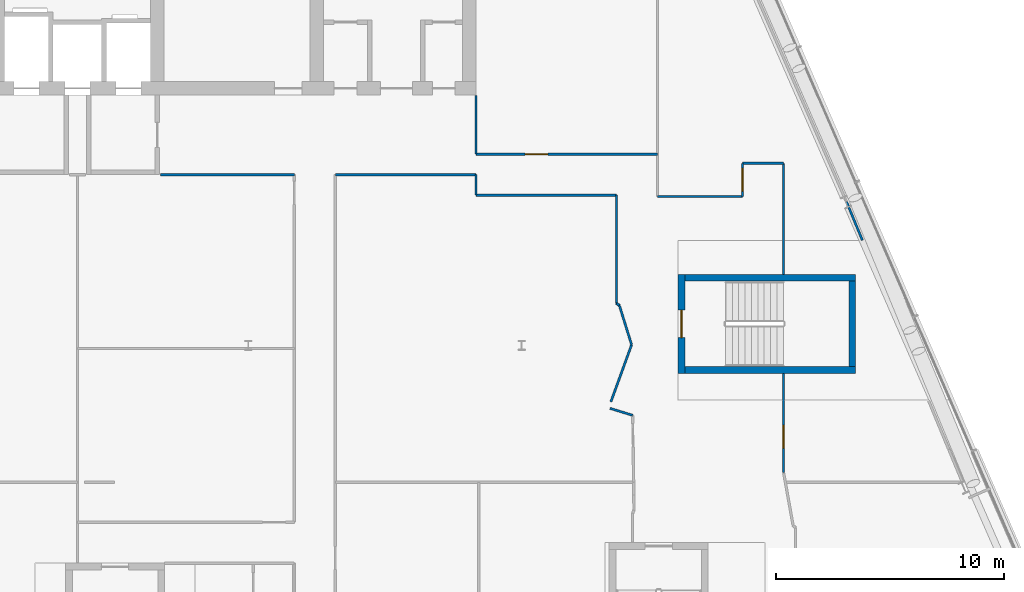
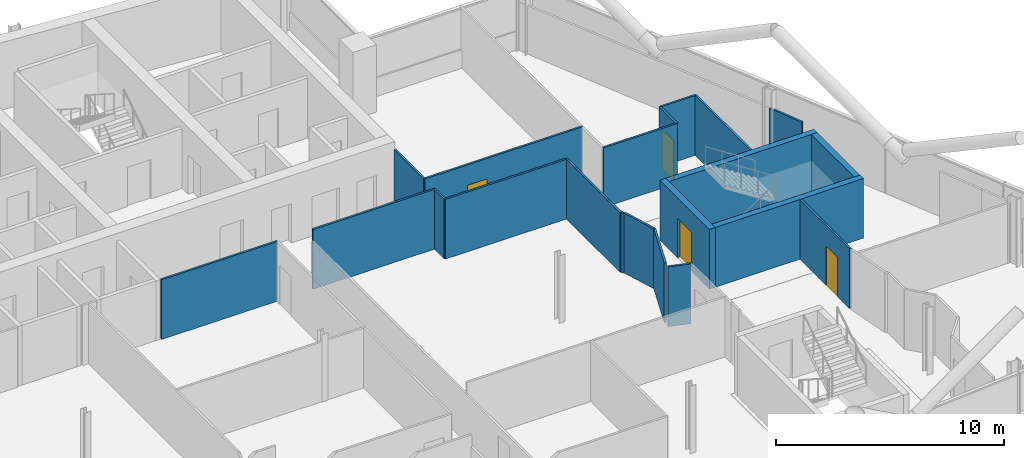
# One storey, part 18 of 28: 21 walls, 4 doors, 4 openings.
"""IFC4 building model written with IfcOpenShell, lengths in metres."""

import ifcopenshell
import ifcopenshell.guid

model = None  # the IFC model being written
_history = None  # IfcOwnerHistory: only IFC2X3 demands one
_inside = {}  # id of a spatial element -> (the spatial element, [elements in it])
_under = {}  # id of a project, library or spatial element -> (it, [spatial elements below it])
_declared = {}  # id of a project -> (the project, [libraries it declares])
_typed = {}  # id of a type object -> (the type object, [elements of that type])
_made_of = {}  # id of a material, layer set ... -> (it, [elements and type objects made of it])


def new_model(schema):
    """Start an empty IFC model of exactly this schema.

    Asked for "IFC4X3", IfcOpenShell would pick the latest addendum, in which some entities
    have other attributes; the version numbers below select the first issue.
    IFC2X3 requires an IfcOwnerHistory on every rooted entity: one is made here for all.
    """
    global model, _history
    if schema == "IFC4X3":
        model = ifcopenshell.file(schema_version=(4, 3, 0, 0))
    else:
        model = ifcopenshell.file(schema=schema)
    _inside.clear()
    _under.clear()
    _declared.clear()
    _typed.clear()
    _made_of.clear()
    _history = None
    if model.schema == "IFC2X3":
        org = make("IfcOrganization", Name="unknown")
        user = make(
            "IfcPersonAndOrganization",
            ThePerson=make("IfcPerson", FamilyName="unknown"),
            TheOrganization=org,
        )
        app = make(
            "IfcApplication",
            ApplicationDeveloper=org,
            Version="unknown",
            ApplicationFullName="unknown",
            ApplicationIdentifier="unknown",
        )
        _history = make(
            "IfcOwnerHistory",
            OwningUser=user,
            OwningApplication=app,
            ChangeAction="ADDED",
            CreationDate=0,
        )
    return model


def make(cls, **values):
    """One entity of the class cls with the attributes given. An attribute that is None is left unset."""
    return model.create_entity(
        cls, **{name: value for name, value in values.items() if value is not None}
    )


def rooted(cls, **values):
    """An entity with a GlobalId (a new one), such as an element, a storey or a relation."""
    return make(cls, GlobalId=ifcopenshell.guid.new(), OwnerHistory=_history, **values)


def si_unit(unit_type, name, prefix=None):
    """IfcSIUnit, for example si_unit("LENGTHUNIT", "METRE", prefix="MILLI")."""
    return make("IfcSIUnit", UnitType=unit_type, Prefix=prefix, Name=name)


def assignment(units):
    """IfcUnitAssignment: the units of a project."""
    return None if units is None else make("IfcUnitAssignment", Units=units)


def point(xyz):
    """IfcCartesianPoint."""
    return None if xyz is None else make("IfcCartesianPoint", Coordinates=xyz)


def direction(xyz):
    """IfcDirection."""
    return None if xyz is None else make("IfcDirection", DirectionRatios=xyz)


def frame(location, z_axis=None, x_axis=None):
    """IfcAxis2Placement3D, a coordinate frame: its origin and axes. An axis left out is left unset."""
    return make(
        "IfcAxis2Placement3D",
        Location=point(location),
        Axis=direction(z_axis),
        RefDirection=direction(x_axis),
    )


def frame_2d(location, x_axis=None):
    """IfcAxis2Placement2D, a coordinate frame in the plane: its origin and x axis."""
    return make(
        "IfcAxis2Placement2D", Location=point(location), RefDirection=direction(x_axis)
    )


def origin():
    """The frame at (0, 0, 0) with its axes left unset."""
    return frame((0.0, 0.0, 0.0))


def place(relative_to, where):
    """IfcLocalPlacement: puts the frame where relative to a parent placement (None: the world)."""
    return make(
        "IfcLocalPlacement", PlacementRelTo=relative_to, RelativePlacement=where
    )


def context(
    kind, dimensions, precision=None, world=None, true_north=None, identifier=None
):
    """IfcGeometricRepresentationContext, for example the 3D "Model" context."""
    return make(
        "IfcGeometricRepresentationContext",
        ContextIdentifier=identifier,
        ContextType=kind,
        CoordinateSpaceDimension=dimensions,
        Precision=precision,
        WorldCoordinateSystem=world,
        TrueNorth=true_north,
    )


def subcontext(parent, identifier, kind, view, scale=None):
    """IfcGeometricRepresentationSubContext, for example "Body" below "Model"."""
    return make(
        "IfcGeometricRepresentationSubContext",
        ContextIdentifier=identifier,
        ContextType=kind,
        ParentContext=parent,
        TargetScale=scale,
        TargetView=view,
    )


def project(units=None, contexts=None):
    """IfcProject with its units and contexts."""
    return rooted(
        "IfcProject",
        Name="project",
        RepresentationContexts=contexts,
        UnitsInContext=assignment(units),
    )


def spatial(cls, under=None, at=None, **own):
    """A site, building, storey or space (cls), placed at a placement, below another one or the project."""
    s = rooted(cls, ObjectPlacement=at, **own)
    if under is not None:
        _under.setdefault(under.id(), (under, []))[1].append(s)
    return s


def profile(cls, at=None, kind="AREA", **sizes):
    """A parametric profile (cls). Its sizes go by their IFC names, for example OverallWidth=200.0."""
    return make(cls, ProfileType=kind, Position=at, **sizes)


def rectangle(**sizes):
    """IfcRectangleProfileDef."""
    return profile("IfcRectangleProfileDef", **sizes)


def extrude(swept, where, along, depth):
    """IfcExtrudedAreaSolid: the profile swept, set in the frame where, extruded along a direction by depth."""
    return make(
        "IfcExtrudedAreaSolid",
        SweptArea=swept,
        Position=where,
        ExtrudedDirection=direction(along),
        Depth=depth,
    )


def shape(context_of_items, identifier, shape_type, items):
    """IfcShapeRepresentation: the items that make up one representation, for example the "Body"."""
    return make(
        "IfcShapeRepresentation",
        ContextOfItems=context_of_items,
        RepresentationIdentifier=identifier,
        RepresentationType=shape_type,
        Items=items,
    )


def material(Name=None, Category=None):
    """IfcMaterial."""
    return make("IfcMaterial", Name=Name, Category=Category)


def layer(
    of_material, thickness, ventilated=None, Name=None, Category=None, Priority=None
):
    """IfcMaterialLayer: one layer of a wall or slab, of a material (None: an air gap)."""
    return make(
        "IfcMaterialLayer",
        Material=of_material,
        LayerThickness=thickness,
        IsVentilated=ventilated,
        Name=Name,
        Category=Category,
        Priority=Priority,
    )


def layer_set(layers, Name=None):
    """IfcMaterialLayerSet."""
    return make("IfcMaterialLayerSet", MaterialLayers=layers, LayerSetName=Name)


def made_of(thing, what):
    """Note that an element or type object is made of a material, layer set ...; save() writes the relation."""
    if what is not None:
        _made_of.setdefault(what.id(), (what, []))[1].append(thing)
    return thing


def type_object(cls, material=None, **own):
    """A type object (cls), such as IfcWallType, which elements share."""
    return made_of(rooted(cls, **own), material)


def element(
    cls,
    number,
    at=None,
    inside=None,
    cuts=None,
    type_object=None,
    material=None,
    context=None,
    identifier="Body",
    shape_type=None,
    held_by="IfcProductDefinitionShape",
    body=None,
    shapes=None,
    **own,
):
    """One element of the class cls, such as IfcWall. Its Tag is "e" and its number.

    at: its placement. inside: the storey or other place that contains it. cuts: it is an
    opening in that element (IfcRelVoidsElement). A single representation is given by context,
    identifier, shape_type and body (its items); several are given by shapes. held_by: the class
    of the entity that holds the representations. save() writes the other relations.
    """
    e = rooted(cls, Tag="e%d" % number, ObjectPlacement=at, **own)
    if body is not None:
        shapes = [shape(context, identifier, shape_type, body)]
    if shapes is not None:
        e.Representation = make(held_by, Representations=shapes)
    if inside is not None:
        _inside.setdefault(inside.id(), (inside, []))[1].append(e)
    if cuts is not None:
        rooted(
            "IfcRelVoidsElement", RelatingBuildingElement=cuts, RelatedOpeningElement=e
        )
    if type_object is not None:
        _typed.setdefault(type_object.id(), (type_object, []))[1].append(e)
    return made_of(e, material)


def fill(opening, filler):
    """IfcRelFillsElement: the door or window that sits in an opening."""
    return rooted(
        "IfcRelFillsElement",
        RelatingOpeningElement=opening,
        RelatedBuildingElement=filler,
    )


def aggregate(whole, parts):
    """IfcRelAggregates: a whole, such as a stair, and the parts it consists of."""
    return rooted("IfcRelAggregates", RelatingObject=whole, RelatedObjects=parts)


def save(model, path):
    """Write the relations noted so far, then the file.

    IfcRelAggregates (storeys below a building ...), IfcRelContainedInSpatialStructure (elements
    in a storey), IfcRelDefinesByType, IfcRelAssociatesMaterial and IfcRelDeclares: one each for
    every whole, place, type object, material and project.
    """
    for whole, parts in _under.values():
        aggregate(whole, parts)
    for where, things in _inside.values():
        rooted(
            "IfcRelContainedInSpatialStructure",
            RelatedElements=things,
            RelatingStructure=where,
        )
    for kind, things in _typed.values():
        rooted("IfcRelDefinesByType", RelatedObjects=things, RelatingType=kind)
    for what, things in _made_of.values():
        rooted("IfcRelAssociatesMaterial", RelatedObjects=things, RelatingMaterial=what)
    for by, libraries in _declared.values():
        rooted("IfcRelDeclares", RelatingContext=by, RelatedDefinitions=libraries)
    model.write(path)


model = new_model("IFC4")

# Units and contexts
model_context = context("Model", 3, precision=1e-05, world=origin(), true_north=direction((0.0, 1.0)))
body_context = subcontext(model_context, "Body", "Model", "MODEL_VIEW")
ifc_project = project(units=[si_unit("LENGTHUNIT", "METRE"), si_unit("AREAUNIT", "SQUARE_METRE"), si_unit("VOLUMEUNIT", "CUBIC_METRE"), si_unit("PLANEANGLEUNIT", "RADIAN"), si_unit("MASSUNIT", "GRAM", prefix="KILO")], contexts=[model_context])

# Site, building, storey
site_placement = place(None, origin())
site = spatial("IfcSite", under=ifc_project, at=site_placement, CompositionType="ELEMENT")
building_placement = place(site_placement, origin())
building = spatial("IfcBuilding", under=site, at=building_placement, Name="Wharfspan Tower", CompositionType="ELEMENT")
storey_placement = place(building_placement, frame((0.0, 0.0, 253.899902)))
storey = spatial("IfcBuildingStorey", under=building, at=storey_placement, Name="L64", CompositionType="ELEMENT", Elevation=253.899902)

# Walls
ifc_material_1 = material(Name="Gypsum board on steel studs", Category="steel")
ifc_layer_1 = layer(ifc_material_1, 0.100098)
ifc_layer_set_1 = layer_set([ifc_layer_1], Name="Gypsum board on steel studs")
wall_type_1 = type_object("IfcWallType", Name="Compartment wall 100 EI 60", PredefinedType="PARTITIONING", material=ifc_layer_set_1)
wall_1_placement = place(storey_placement, frame((51.820068, 30.5, 0.0), z_axis=(0.0, 0.0, 1.0), x_axis=(1.0, 0.0, 0.0)))
element("IfcWall", 1, at=wall_1_placement, inside=storey, type_object=wall_type_1, Name="Partition L64.w032", PredefinedType="PARTITIONING", context=body_context, shape_type="SweptSolid", body=[
    extrude(rectangle(XDim=6.179932, YDim=0.100098, at=frame_2d((3.089844, 0.0))), origin(), (0.0, 0.0, 1.0), 3.200195),
])
wall_2_placement = place(storey_placement, frame((58.0, 29.600098, 0.0), z_axis=(0.0, 0.0, 1.0), x_axis=(0.0, 1.0, 0.0)))
element("IfcWall", 2, at=wall_2_placement, inside=storey, type_object=wall_type_1, Name="Partition L64.w033", PredefinedType="PARTITIONING", context=body_context, shape_type="SweptSolid", body=[
    extrude(rectangle(XDim=0.899902, YDim=0.100098, at=frame_2d((0.449951, 0.0))), origin(), (0.0, 0.0, 1.0), 3.200195),
])
wall_3_placement = place(storey_placement, frame((58.0, 29.600098, 0.0), z_axis=(0.0, 0.0, 1.0), x_axis=(1.0, 0.0, 0.0)))
element("IfcWall", 3, at=wall_3_placement, inside=storey, type_object=wall_type_1, Name="Partition L64.w034", PredefinedType="PARTITIONING", context=body_context, shape_type="SweptSolid", body=[
    extrude(rectangle(XDim=6.169922, YDim=0.100098, at=frame_2d((3.084961, 0.0))), origin(), (0.0, 0.0, 1.0), 3.200195),
])
wall_4_placement = place(storey_placement, frame((58.0, 31.399902, 0.0), z_axis=(0.0, 0.0, 1.0), x_axis=(0.0, 1.0, 0.0)))
element("IfcWall", 4, at=wall_4_placement, inside=storey, type_object=wall_type_1, Name="Partition L64.w035", PredefinedType="PARTITIONING", context=body_context, shape_type="SweptSolid", body=[
    extrude(rectangle(XDim=2.580078, YDim=0.100098, at=frame_2d((1.290039, 0.0))), origin(), (0.0, 0.0, 1.0), 3.200195),
])

# Wall, opening, door
wall_5_placement = place(storey_placement, frame((58.0, 31.399902, 0.0), z_axis=(0.0, 0.0, 1.0), x_axis=(1.0, 0.0, 0.0)))
wall_5 = element("IfcWall", 5, at=wall_5_placement, inside=storey, type_object=wall_type_1, Name="Partition L64.w036", PredefinedType="PARTITIONING", context=body_context, shape_type="SweptSolid", body=[
    extrude(rectangle(XDim=7.969971, YDim=0.100098, at=frame_2d((3.984863, 0.0))), origin(), (0.0, 0.0, 1.0), 3.200195),
])
opening_1_placement = place(wall_5_placement, frame((2.149902, 0.0, 0.0)))
opening_1 = element("IfcOpeningElement", 6, at=opening_1_placement, cuts=wall_5, Name="Opening D6-18", PredefinedType="OPENING", context=body_context, shape_type="SweptSolid", body=[
    extrude(rectangle(XDim=1.0, YDim=2.100098, at=frame_2d((0.5, 1.050049))), frame((0.0, 0.060059, 0.0), z_axis=(0.0, -1.0, 0.0), x_axis=(1.0, 0.0, 0.0)), (0.0, 0.0, 1.0), 0.120117),
])
ifc_material_2 = material(Name="Fire-rated timber door leaf in steel frame", Category="steel")
door_type_1 = type_object("IfcDoorType", Name="Door 1000 FD30S Left", OperationType="SINGLE_SWING_LEFT", PredefinedType="DOOR", material=ifc_material_2)
door_1_placement = place(opening_1_placement, origin())
door_1 = element("IfcDoor", 7, at=door_1_placement, inside=storey, type_object=door_type_1, Name="Door D6-18", OperationType="SINGLE_SWING_LEFT", OverallHeight=2.100098, OverallWidth=1.0, PredefinedType="DOOR", context=body_context, shape_type="SweptSolid", body=[
    extrude(rectangle(XDim=1.0, YDim=2.100098, at=frame_2d((0.5, 1.050049))), frame((0.0, 0.024902, 0.0), z_axis=(0.0, -1.0, 0.0), x_axis=(1.0, 0.0, 0.0)), (0.0, 0.0, 1.0), 0.050049),
])
fill(opening_1, door_1)

# Walls
wall_6_placement = place(storey_placement, frame((63.919922, 20.524902, 0.0), z_axis=(0.0, 0.0, 1.0), x_axis=(0.341478, 0.939889, 0.0)))
element("IfcWall", 8, at=wall_6_placement, inside=storey, type_object=wall_type_1, Name="Partition L64.w040", PredefinedType="PARTITIONING", context=body_context, shape_type="SweptSolid", body=[
    extrude(rectangle(XDim=2.665283, YDim=0.100098, at=frame_2d((1.33252, 0.0))), origin(), (0.0, 0.0, 1.0), 3.200195),
])
wall_7_placement = place(storey_placement, frame((64.169922, 24.850098, 0.0), z_axis=(0.0, 0.0, 1.0), x_axis=(0.0, 1.0, 0.0)))
element("IfcWall", 9, at=wall_7_placement, inside=storey, type_object=wall_type_1, Name="Partition L64.w041", PredefinedType="PARTITIONING", context=body_context, shape_type="SweptSolid", body=[
    extrude(rectangle(XDim=4.75, YDim=0.100098, at=frame_2d((2.375, 0.0))), origin(), (0.0, 0.0, 1.0), 3.200195),
])
wall_8_placement = place(storey_placement, frame((64.294922, 24.754883, 0.0), z_axis=(0.0, 0.0, 1.0), x_axis=(-0.795501, 0.605948, 0.0)))
element("IfcWall", 10, at=wall_8_placement, inside=storey, type_object=wall_type_1, Name="Partition L64.w042", PredefinedType="PARTITIONING", context=body_context, shape_type="SweptSolid", body=[
    extrude(rectangle(XDim=0.157227, YDim=0.100098, at=frame_2d((0.078613, 0.0))), origin(), (0.0, 0.0, 1.0), 3.200195),
])
wall_9_placement = place(storey_placement, frame((64.830078, 23.030029, 0.0), z_axis=(0.0, 0.0, 1.0), x_axis=(-0.296328, 0.95509, 0.0)))
element("IfcWall", 11, at=wall_9_placement, inside=storey, type_object=wall_type_1, Name="Partition L64.w043", PredefinedType="PARTITIONING", context=body_context, shape_type="SweptSolid", body=[
    extrude(rectangle(XDim=1.805908, YDim=0.100098, at=frame_2d((0.902832, 0.0))), origin(), (0.0, 0.0, 1.0), 3.200195),
])
wall_10_placement = place(storey_placement, frame((64.875, 19.935059, 0.0), z_axis=(0.0, 0.0, 1.0), x_axis=(-0.956114, 0.29298, 0.0)))
element("IfcWall", 12, at=wall_10_placement, inside=storey, type_object=wall_type_1, Name="Partition L64.w046", PredefinedType="PARTITIONING", context=body_context, shape_type="SweptSolid", body=[
    extrude(rectangle(XDim=1.040771, YDim=0.100098, at=frame_2d((0.520508, 0.0))), origin(), (0.0, 0.0, 1.0), 3.200195),
])
wall_11_placement = place(storey_placement, frame((65.975098, 29.540039, 0.0), z_axis=(0.0, 0.0, 1.0), x_axis=(1.0, 0.0, 0.0)))
element("IfcWall", 13, at=wall_11_placement, inside=storey, type_object=wall_type_1, Name="Partition L64.w051", PredefinedType="PARTITIONING", context=body_context, shape_type="SweptSolid", body=[
    extrude(rectangle(XDim=3.724854, YDim=0.100098, at=frame_2d((1.862305, 0.0))), origin(), (0.0, 0.0, 1.0), 3.200195),
])

# Wall, opening, door
wall_12_placement = place(storey_placement, frame((69.699951, 29.540039, 0.0), z_axis=(0.0, 0.0, 1.0), x_axis=(0.0, 1.0, 0.0)))
wall_12 = element("IfcWall", 14, at=wall_12_placement, inside=storey, type_object=wall_type_1, Name="Partition L64.w052", PredefinedType="PARTITIONING", context=body_context, shape_type="SweptSolid", body=[
    extrude(rectangle(XDim=1.459961, YDim=0.100098, at=frame_2d((0.72998, 0.0))), origin(), (0.0, 0.0, 1.0), 3.200195),
])
opening_2_placement = place(wall_12_placement, frame((0.23999, 0.0, 0.0)))
opening_2 = element("IfcOpeningElement", 15, at=opening_2_placement, cuts=wall_12, Name="Opening D6-17", PredefinedType="OPENING", context=body_context, shape_type="SweptSolid", body=[
    extrude(rectangle(XDim=1.0, YDim=2.100098, at=frame_2d((0.5, 1.050049))), frame((0.0, 0.060059, 0.0), z_axis=(0.0, -1.0, 0.0), x_axis=(1.0, 0.0, 0.0)), (0.0, 0.0, 1.0), 0.120117),
])
door_type_2 = type_object("IfcDoorType", Name="Door 1000 FD30S Right", OperationType="SINGLE_SWING_RIGHT", PredefinedType="DOOR", material=ifc_material_2)
door_2_placement = place(opening_2_placement, origin())
door_2 = element("IfcDoor", 16, at=door_2_placement, inside=storey, type_object=door_type_2, Name="Door D6-17", OperationType="SINGLE_SWING_RIGHT", OverallHeight=2.100098, OverallWidth=1.0, PredefinedType="DOOR", context=body_context, shape_type="SweptSolid", body=[
    extrude(rectangle(XDim=1.0, YDim=2.100098, at=frame_2d((0.5, 1.050049))), frame((0.0, 0.024902, 0.0), z_axis=(0.0, -1.0, 0.0), x_axis=(1.0, 0.0, 0.0)), (0.0, 0.0, 1.0), 0.050049),
])
fill(opening_2, door_2)

# Wall
wall_13_placement = place(storey_placement, frame((69.699951, 31.0, 0.0), z_axis=(0.0, 0.0, 1.0), x_axis=(1.0, 0.0, 0.0)))
element("IfcWall", 17, at=wall_13_placement, inside=storey, type_object=wall_type_1, Name="Partition L64.w053", PredefinedType="PARTITIONING", context=body_context, shape_type="SweptSolid", body=[
    extrude(rectangle(XDim=1.800049, YDim=0.100098, at=frame_2d((0.899902, 0.0))), origin(), (0.0, 0.0, 1.0), 3.200195),
])

# Wall, opening, door
wall_14_placement = place(storey_placement, frame((71.5, 17.429932, 0.0), z_axis=(0.0, 0.0, 1.0), x_axis=(0.0, 1.0, 0.0)))
wall_14 = element("IfcWall", 18, at=wall_14_placement, inside=storey, type_object=wall_type_1, Name="Partition L64.w054", PredefinedType="PARTITIONING", context=body_context, shape_type="SweptSolid", body=[
    extrude(rectangle(XDim=4.344971, YDim=0.100098, at=frame_2d((2.172363, 0.0))), origin(), (0.0, 0.0, 1.0), 3.200195),
])
opening_3_placement = place(wall_14_placement, frame((1.058838, 0.0, 0.0)))
opening_3 = element("IfcOpeningElement", 19, at=opening_3_placement, cuts=wall_14, Name="Opening D6-11", PredefinedType="OPENING", context=body_context, shape_type="SweptSolid", body=[
    extrude(rectangle(XDim=1.0, YDim=2.100098, at=frame_2d((0.5, 1.050049))), frame((0.0, 0.060059, 0.0), z_axis=(0.0, -1.0, 0.0), x_axis=(1.0, 0.0, 0.0)), (0.0, 0.0, 1.0), 0.120117),
])
door_3_placement = place(opening_3_placement, origin())
door_3 = element("IfcDoor", 20, at=door_3_placement, inside=storey, type_object=door_type_1, Name="Door D6-11", OperationType="SINGLE_SWING_LEFT", OverallHeight=2.100098, OverallWidth=1.0, PredefinedType="DOOR", context=body_context, shape_type="SweptSolid", body=[
    extrude(rectangle(XDim=1.0, YDim=2.100098, at=frame_2d((0.5, 1.050049))), frame((0.0, 0.024902, 0.0), z_axis=(0.0, -1.0, 0.0), x_axis=(1.0, 0.0, 0.0)), (0.0, 0.0, 1.0), 0.050049),
])
fill(opening_3, door_3)

# Walls
wall_15_placement = place(storey_placement, frame((71.5, 26.125, 0.0), z_axis=(0.0, 0.0, 1.0), x_axis=(0.0, 1.0, 0.0)))
element("IfcWall", 21, at=wall_15_placement, inside=storey, type_object=wall_type_1, Name="Partition L64.w055", PredefinedType="PARTITIONING", context=body_context, shape_type="SweptSolid", body=[
    extrude(rectangle(XDim=4.875, YDim=0.100098, at=frame_2d((2.4375, 0.0))), origin(), (0.0, 0.0, 1.0), 3.200195),
])
wall_16_placement = place(storey_placement, frame((44.149902, 30.5, 0.0), z_axis=(0.0, 0.0, 1.0), x_axis=(1.0, 0.0, 0.0)))
element("IfcWall", 22, at=wall_16_placement, inside=storey, type_object=wall_type_1, Name="Partition L64.w015 (3)", PredefinedType="PARTITIONING", context=body_context, shape_type="SweptSolid", body=[
    extrude(rectangle(XDim=5.870117, YDim=0.100098, at=frame_2d((2.935059, 0.0))), origin(), (0.0, 0.0, 1.0), 3.200195),
])
ifc_layer_2 = layer(ifc_material_1, 0.100098)
ifc_layer_set_2 = layer_set([ifc_layer_2], Name="Gypsum board on steel studs")
wall_type_2 = type_object("IfcWallType", Name="Partition 100", PredefinedType="PARTITIONING", material=ifc_layer_set_2)
wall_17_placement = place(storey_placement, frame((74.961914, 27.620117, 0.0), z_axis=(0.0, 0.0, 1.0), x_axis=(-0.381293, 0.924452, 0.0)))
element("IfcWall", 23, at=wall_17_placement, inside=storey, type_object=wall_type_2, Name="Partition L64.w067", PredefinedType="PARTITIONING", context=body_context, shape_type="SweptSolid", body=[
    extrude(rectangle(XDim=1.828125, YDim=0.100098, at=frame_2d((0.914062, 0.0))), origin(), (0.0, 0.0, 1.0), 2.580078),
])

# Wall, opening, door
ifc_material_3 = material(Name="Concrete C40/50", Category="concrete")
ifc_layer_3 = layer(ifc_material_3, 0.300049)
ifc_layer_set_3 = layer_set([ifc_layer_3], Name="Concrete C40/50")
wall_type_3 = type_object("IfcWallType", Name="Stair core wall 300", PredefinedType="SHEAR", material=ifc_layer_set_3)
wall_18_placement = place(storey_placement, frame((67.019531, 21.774902, 0.0), z_axis=(0.0, 0.0, 1.0), x_axis=(0.0, 1.0, 0.0)))
wall_18 = element("IfcWall", 24, at=wall_18_placement, inside=storey, type_object=wall_type_3, Name="ST6 stair enclosure wall L64", PredefinedType="SHEAR", context=body_context, shape_type="SweptSolid", body=[
    extrude(rectangle(XDim=4.350098, YDim=0.300049, at=frame_2d((2.175049, 0.0))), origin(), (0.0, 0.0, 1.0), 3.200195),
])
opening_4_placement = place(wall_18_placement, frame((1.574951, 0.0, 0.0)))
opening_4 = element("IfcOpeningElement", 25, at=opening_4_placement, cuts=wall_18, Name="Opening SD6.L64", PredefinedType="OPENING", context=body_context, shape_type="SweptSolid", body=[
    extrude(rectangle(XDim=1.199951, YDim=2.100098, at=frame_2d((0.600098, 1.050049))), frame((0.0, 0.159912, 0.0), z_axis=(0.0, -1.0, 0.0), x_axis=(1.0, 0.0, 0.0)), (0.0, 0.0, 1.0), 0.320068),
])
ifc_material_4 = material(Name="Steel door leaf", Category="steel")
door_type_3 = type_object("IfcDoorType", Name="Stair door 1200x2100", OperationType="SINGLE_SWING_LEFT", PredefinedType="DOOR", material=ifc_material_4)
door_4_placement = place(opening_4_placement, origin())
door_4 = element("IfcDoor", 26, at=door_4_placement, inside=storey, type_object=door_type_3, Name="sd:L64:ST6z4", OperationType="SINGLE_SWING_RIGHT", OverallHeight=2.100098, OverallWidth=1.199951, PredefinedType="DOOR", context=body_context, shape_type="SweptSolid", body=[
    extrude(rectangle(XDim=1.199951, YDim=2.100098, at=frame_2d((0.600098, 1.050049))), frame((0.0, 0.024902, 0.0), z_axis=(0.0, -1.0, 0.0), x_axis=(1.0, 0.0, 0.0)), (0.0, 0.0, 1.0), 0.050049),
])
fill(opening_4, door_4)

# Walls
for number, where, z_axis, x_axis, name in (
    (27, (67.169678, 21.925049, 0.0), (0.0, 0.0, 1.0), (1.0, 0.0, 0.0), "ST6 stair enclosure wall L64"),
    (28, (67.169678, 25.975098, 0.0), (0.0, 0.0, 1.0), (1.0, 0.0, 0.0), "ST6 stair enclosure wall L64"),
):
    element("IfcWall", number, at=place(storey_placement, frame(where, z_axis=z_axis, x_axis=x_axis)), inside=storey, type_object=wall_type_3, Name=name, PredefinedType="SHEAR", context=body_context, shape_type="SweptSolid", body=[
        extrude(rectangle(XDim=7.5, YDim=0.300049, at=frame_2d((3.75, 0.0))), origin(), (0.0, 0.0, 1.0), 3.200195),
    ])
wall_19_placement = place(storey_placement, frame((74.519531, 22.074951, 0.0), z_axis=(0.0, 0.0, 1.0), x_axis=(0.0, 1.0, 0.0)))
element("IfcWall", 29, at=wall_19_placement, inside=storey, type_object=wall_type_3, Name="ST6 stair enclosure wall L64", PredefinedType="SHEAR", context=body_context, shape_type="SweptSolid", body=[
    extrude(rectangle(XDim=3.75, YDim=0.300049, at=frame_2d((1.875, 0.0))), origin(), (0.0, 0.0, 1.0), 3.200195),
])

save(model, "model.ifc")
